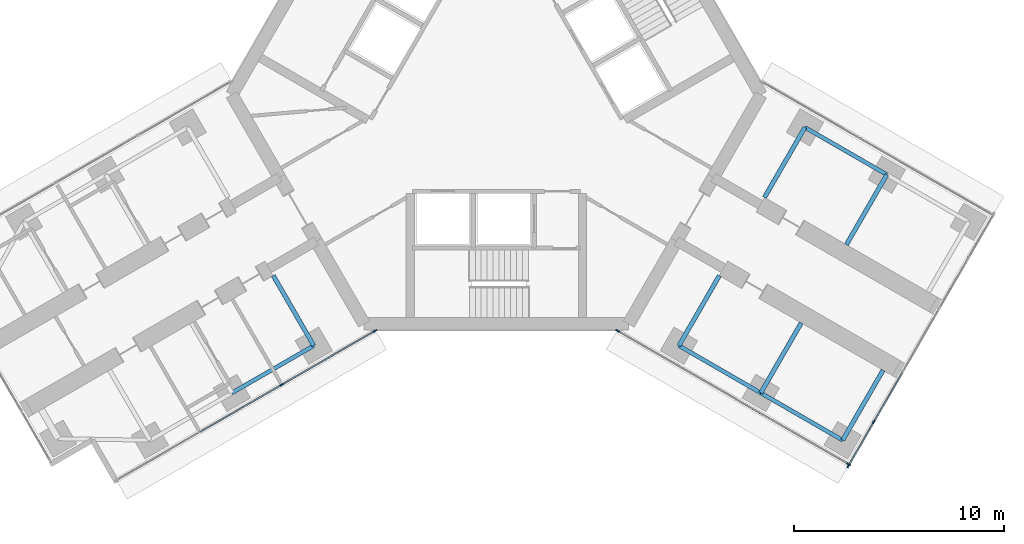
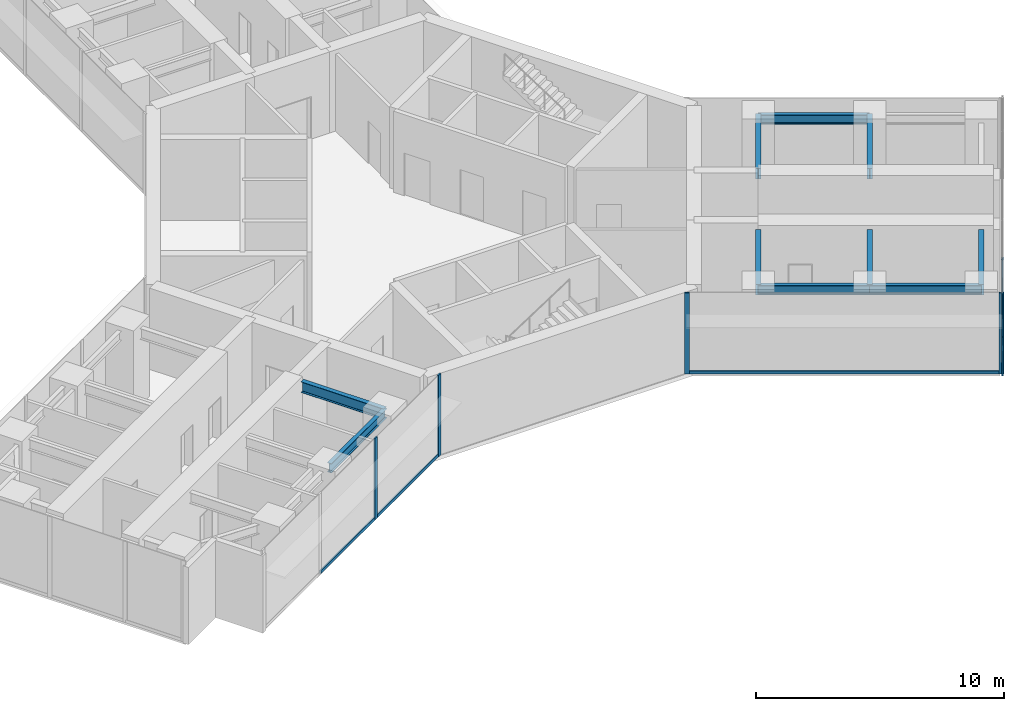
# One storey, part 8 of 22: 11 members, 10 beams, 3 elements without a shape of their own.
"""IFC4 building model written with IfcOpenShell, lengths in metres."""

from ifc_helpers import new_model, si_unit, direction, frame, origin, origin_2d, place, context, subcontext, project, spatial, rectangle, i_section, extrude, material, material_profile, profile_set, type_object, element, aggregate, save


model = new_model("IFC4")

# Units and contexts
model_context = context("Model", 3, precision=1e-05, world=origin(), true_north=direction((0.0, 1.0)))
body_context = subcontext(model_context, "Body", "Model", "MODEL_VIEW")
ifc_project = project(units=[si_unit("LENGTHUNIT", "METRE"), si_unit("AREAUNIT", "SQUARE_METRE"), si_unit("VOLUMEUNIT", "CUBIC_METRE"), si_unit("PLANEANGLEUNIT", "RADIAN"), si_unit("MASSUNIT", "GRAM", prefix="KILO")], contexts=[model_context])

# Site, building, storey
site_placement = place(None, origin())
site = spatial("IfcSite", under=ifc_project, at=site_placement, CompositionType="ELEMENT")
building_placement = place(site_placement, origin())
building = spatial("IfcBuilding", under=site, at=building_placement, Name="Upepo Twin Towers", CompositionType="ELEMENT")
storey_placement = place(building_placement, frame((0.0, 0.0, 137.5)))
storey = spatial("IfcBuildingStorey", under=building, at=storey_placement, Name="L33", CompositionType="ELEMENT", Elevation=137.5)

# Beams
ifc_material_1 = material(Name="Steel S355", Category="steel")
ifc_material_profile_1 = material_profile(ifc_material_1, i_section(OverallWidth=0.1904296875, OverallDepth=0.45703125, WebThickness=0.009033203125, FlangeThickness=0.014404296875, FilletRadius=0.01025390625, at=origin_2d()), Name="UB 457x191x74")
ifc_profile_set_1 = profile_set([ifc_material_profile_1], Name="Steel S355")
beam_type_1 = type_object("IfcBeamType", Name="Beam UB 457x191x74", PredefinedType="BEAM", material=ifc_profile_set_1)
for number, where, z_axis, x_axis, name in (
    (1, (49.80859375, -29.946044921875, 3.571533203125), (-0.866017533419, -0.500013631625, 0.0), (0.500013631625, -0.866017533419, 0.0), "T2 edge beam BL 13.5-18.0"),
    (2, (73.19140625, -19.553955078125, 3.571533203125), (0.866017533419, -0.500013631625, 0.0), (0.500013631625, 0.866017533419, 0.0), "T2 edge beam CL 13.5-18.0"),
    (3, (67.19140625, -29.946044921875, 3.571533203125), (0.866017533419, -0.500013631625, 0.0), (0.500013631625, 0.866017533419, 0.0), "T2 edge beam CR 13.5-18.0"),
):
    element("IfcBeam", number, at=place(storey_placement, frame(where, z_axis=z_axis, x_axis=x_axis)), inside=storey, type_object=beam_type_1, Name=name, PredefinedType="BEAM", context=body_context, shape_type="SweptSolid", body=[
        extrude(i_section(OverallWidth=0.1904296875, OverallDepth=0.45703125, WebThickness=0.009033203125, FlangeThickness=0.014404296875, FilletRadius=0.01025390625, at=origin_2d()), origin(), (0.0, 0.0, 1.0), 4.499755859375),
    ])
beam_1_placement = place(storey_placement, frame((71.08837890625, -32.196044921875, 3.571533203125), z_axis=(0.866031096941, -0.499990139034, 0.0), x_axis=(0.499990139034, 0.866031096941, 0.0)))
element("IfcBeam", 4, at=beam_1_placement, inside=storey, type_object=beam_type_1, Name="T2 edge beam CR 18.0-22.5", PredefinedType="BEAM", context=body_context, shape_type="SweptSolid", body=[
    extrude(i_section(OverallWidth=0.1904296875, OverallDepth=0.45703125, WebThickness=0.009033203125, FlangeThickness=0.014404296875, FilletRadius=0.01025390625, at=origin_2d()), origin(), (0.0, 0.0, 1.0), 4.5),
])
ifc_material_2 = material(Name="Steel S355", Category="steel")
ifc_material_profile_2 = material_profile(ifc_material_2, i_section(OverallWidth=0.209228515625, OverallDepth=0.533203125, WebThickness=0.010009765625, FlangeThickness=0.015625, FilletRadius=0.0126953125, at=origin_2d()), Name="UB 533x210x92")
ifc_profile_set_2 = profile_set([ifc_material_profile_2], Name="Steel S355")
beam_type_2 = type_object("IfcBeamType", Name="Beam UB 533x210x92", PredefinedType="BEAM", material=ifc_profile_set_2)
for number, where, z_axis, x_axis, name in (
    (5, (49.80859375, -29.946044921875, 3.533447265625), (-0.500033517596, 0.866006051527, 0.0), (-0.866006051527, -0.500033517596, 0.0), "T2 girder BL at 13.5"),
    (6, (73.19140625, -19.553955078125, 3.533447265625), (-0.500033517596, -0.866006051527, 0.0), (0.866006051527, -0.500033517596, 0.0), "T2 girder CL at 13.5"),
):
    element("IfcBeam", number, at=place(storey_placement, frame(where, z_axis=z_axis, x_axis=x_axis)), inside=storey, type_object=beam_type_2, Name=name, PredefinedType="BEAM", context=body_context, shape_type="SweptSolid", body=[
        extrude(i_section(OverallWidth=0.209228515625, OverallDepth=0.533203125, WebThickness=0.010009765625, FlangeThickness=0.015625, FilletRadius=0.0126953125, at=origin_2d()), origin(), (0.0, 0.0, 1.0), 3.849853515625),
    ])
beam_2_placement = place(storey_placement, frame((77.08837890625, -21.803955078125, 3.533447265625), z_axis=(-0.499985955615, -0.866033512162, 0.0), x_axis=(0.866033512162, -0.499985955615, 0.0)))
element("IfcBeam", 7, at=beam_2_placement, inside=storey, type_object=beam_type_2, Name="T2 girder CL at 18.0", PredefinedType="BEAM", context=body_context, shape_type="SweptSolid", body=[
    extrude(i_section(OverallWidth=0.209228515625, OverallDepth=0.533203125, WebThickness=0.010009765625, FlangeThickness=0.015625, FilletRadius=0.0126953125, at=origin_2d()), origin(), (0.0, 0.0, 1.0), 3.849609375),
])
for number, where, z_axis, x_axis, name in (
    (8, (67.19140625, -29.946044921875, 3.533447265625), (0.500033517596, 0.866006051527, 0.0), (-0.866006051527, 0.500033517596, 0.0), "T2 girder CR at 13.5"),
    (9, (71.08837890625, -32.196044921875, 3.533447265625), (0.500033517596, 0.866006051527, 0.0), (-0.866006051527, 0.500033517596, 0.0), "T2 girder CR at 18.0"),
    (10, (74.985595703125, -34.446044921875, 3.533447265625), (0.500033517596, 0.866006051527, 0.0), (-0.866006051527, 0.500033517596, 0.0), "T2 girder CR at 22.5"),
):
    element("IfcBeam", number, at=place(storey_placement, frame(where, z_axis=z_axis, x_axis=x_axis)), inside=storey, type_object=beam_type_2, Name=name, PredefinedType="BEAM", context=body_context, shape_type="SweptSolid", body=[
        extrude(i_section(OverallWidth=0.209228515625, OverallDepth=0.533203125, WebThickness=0.010009765625, FlangeThickness=0.015625, FilletRadius=0.0126953125, at=origin_2d()), origin(), (0.0, 0.0, 1.0), 3.849853515625),
    ])

# Curtain wall, members
ifc_material_3 = material(Name="Aluminium and fritted glass", Category="aluminium")
curtain_wall_type = type_object("IfcCurtainWallType", Name="Tower curtain wall TW2, fritted glass", PredefinedType="NOTDEFINED", material=ifc_material_3)
curtain_wall_1_placement = place(storey_placement, origin())
curtain_wall_1 = element("IfcCurtainWall", 11, at=curtain_wall_1_placement, inside=storey, type_object=curtain_wall_type, Name="T2 L33 wing B flank L curtain wall", PredefinedType="NOTDEFINED")
ifc_material_4 = material(Name="Aluminium mullion", Category="aluminium")
ifc_material_profile_3 = material_profile(ifc_material_4, rectangle(XDim=0.06494140625, YDim=0.199951171875, at=origin_2d()), Name="MULLION 65x200")
ifc_profile_set_3 = profile_set([ifc_material_profile_3], Name="Aluminium mullion")
member_type_1 = type_object("IfcMemberType", Name="Mullion 65x200 TW2", PredefinedType="MULLION", material=ifc_profile_set_3)
member_1_placement = place(storey_placement, frame((52.72802734375, -29.2421875, 0.0), z_axis=(0.0, 0.0, 1.0), x_axis=(0.500000010308, -0.866025397833, 0.0)))
member_1 = element("IfcMember", 12, at=member_1_placement, type_object=member_type_1, Name="T2 L33 wing B flank L curtain wall mullion 1", PredefinedType="MULLION", context=body_context, shape_type="SweptSolid", body=[
    extrude(rectangle(XDim=0.06494140625, YDim=0.199951171875, at=origin_2d()), origin(), (0.0, 0.0, 1.0), 4.0),
])
member_2_placement = place(storey_placement, frame((48.28515625, -31.807373046875, 0.0), z_axis=(0.0, 0.0, 1.0), x_axis=(0.500000010308, -0.866025397833, 0.0)))
member_2 = element("IfcMember", 13, at=member_2_placement, type_object=member_type_1, Name="T2 L33 wing B flank L curtain wall mullion 2", PredefinedType="MULLION", context=body_context, shape_type="SweptSolid", body=[
    extrude(rectangle(XDim=0.06494140625, YDim=0.199951171875, at=origin_2d()), origin(), (0.0, 0.0, 1.0), 4.0),
])

curtain_wall_2_placement = place(storey_placement, origin())
curtain_wall_2 = element("IfcCurtainWall", 14, at=curtain_wall_2_placement, inside=storey, type_object=curtain_wall_type, Name="T2 L33 wing C flank R curtain wall", PredefinedType="NOTDEFINED")
member_3_placement = place(storey_placement, frame((75.2685546875, -35.591064453125, 0.0), z_axis=(0.0, 0.0, 1.0), x_axis=(-0.50000000792, -0.866025399212, 0.0)))
member_3 = element("IfcMember", 15, at=member_3_placement, type_object=member_type_1, Name="T2 L33 wing C flank R curtain wall mullion 1", PredefinedType="MULLION", context=body_context, shape_type="SweptSolid", body=[
    extrude(rectangle(XDim=0.06494140625, YDim=0.199951171875, at=origin_2d()), origin(), (0.0, 0.0, 1.0), 4.0),
])
member_4_placement = place(storey_placement, frame((64.27197265625, -29.2421875, 0.0), z_axis=(0.0, 0.0, 1.0), x_axis=(-0.50000000792, -0.866025399212, 0.0)))
member_4 = element("IfcMember", 16, at=member_4_placement, type_object=member_type_1, Name="T2 L33 wing C flank R curtain wall mullion 2", PredefinedType="MULLION", context=body_context, shape_type="SweptSolid", body=[
    extrude(rectangle(XDim=0.06494140625, YDim=0.199951171875, at=origin_2d()), origin(), (0.0, 0.0, 1.0), 4.0),
])

curtain_wall_3_placement = place(storey_placement, origin())
curtain_wall_3 = element("IfcCurtainWall", 17, at=curtain_wall_3_placement, inside=storey, type_object=curtain_wall_type, Name="T2 L33 wing C nose curtain wall", PredefinedType="NOTDEFINED")
member_5_placement = place(storey_placement, frame((75.262939453125, -35.665771484375, 0.0), z_axis=(0.0, 0.0, 1.0), x_axis=(-0.866025419745, 0.499999972355, 0.0)))
member_5 = element("IfcMember", 18, at=member_5_placement, type_object=member_type_1, Name="T2 L33 wing C nose curtain wall mullion 1", PredefinedType="MULLION", context=body_context, shape_type="SweptSolid", body=[
    extrude(rectangle(XDim=0.06494140625, YDim=0.199951171875, at=origin_2d()), origin(), (0.0, 0.0, 1.0), 4.0),
])
member_6_placement = place(storey_placement, frame((76.4716796875, -33.572021484375, 0.0), z_axis=(0.0, 0.0, 1.0), x_axis=(-0.866025419745, 0.499999972355, 0.0)))
member_6 = element("IfcMember", 19, at=member_6_placement, type_object=member_type_1, Name="T2 L33 wing C nose curtain wall mullion 2", PredefinedType="MULLION", context=body_context, shape_type="SweptSolid", body=[
    extrude(rectangle(XDim=0.06494140625, YDim=0.199951171875, at=origin_2d()), origin(), (0.0, 0.0, 1.0), 4.0),
])

# Member
ifc_material_5 = material(Name="Aluminium transom", Category="aluminium")
ifc_material_profile_4 = material_profile(ifc_material_5, rectangle(XDim=0.06494140625, YDim=0.14990234375, at=origin_2d()), Name="TRANSOM 65x150")
ifc_profile_set_4 = profile_set([ifc_material_profile_4], Name="Aluminium transom")
member_type_2 = type_object("IfcMemberType", Name="Transom 65x150 TW2", PredefinedType="USERDEFINED", material=ifc_profile_set_4)
member_7_placement = place(storey_placement, frame((52.699951171875, -29.25830078125, 0.074951171875), z_axis=(-0.866021848223, -0.500006158363, 0.0), x_axis=(0.500006158363, -0.866021848223, 0.0)))
member_7 = element("IfcMember", 20, at=member_7_placement, type_object=member_type_2, Name="T2 L33 wing B flank L curtain wall transom 1", ObjectType="TRANSOM", PredefinedType="USERDEFINED", context=body_context, shape_type="SweptSolid", body=[
    extrude(rectangle(XDim=0.06494140625, YDim=0.14990234375, at=origin_2d()), origin(), (0.0, 0.0, 1.0), 5.0654296875),
])

member_8_placement = place(storey_placement, frame((48.2568359375, -31.823486328125, 0.074951171875), z_axis=(-0.866022410713, -0.500005184116, 0.0), x_axis=(0.500005184116, -0.866022410713, 0.0)))
member_8 = element("IfcMember", 21, at=member_8_placement, type_object=member_type_2, Name="T2 L33 wing B flank L curtain wall transom 2", ObjectType="TRANSOM", PredefinedType="USERDEFINED", context=body_context, shape_type="SweptSolid", body=[
    extrude(rectangle(XDim=0.06494140625, YDim=0.14990234375, at=origin_2d()), origin(), (0.0, 0.0, 1.0), 4.43505859375),
])

aggregate(curtain_wall_1, [member_1, member_2, member_7, member_8])

member_9_placement = place(storey_placement, frame((75.240478515625, -35.57470703125, 0.074951171875), z_axis=(-0.866027247007, 0.499996807431, 0.0), x_axis=(-0.499996807431, -0.866027247007, 0.0)))
member_9 = element("IfcMember", 22, at=member_9_placement, type_object=member_type_2, Name="T2 L33 wing C flank R curtain wall transom 1", ObjectType="TRANSOM", PredefinedType="USERDEFINED", context=body_context, shape_type="SweptSolid", body=[
    extrude(rectangle(XDim=0.06494140625, YDim=0.14990234375, at=origin_2d()), origin(), (0.0, 0.0, 1.0), 12.6328125),
])

aggregate(curtain_wall_2, [member_3, member_4, member_9])

member_10_placement = place(storey_placement, frame((75.279296875, -35.6376953125, 0.074951171875), z_axis=(0.499923095048, 0.866069800327, 0.0), x_axis=(-0.866069800327, 0.499923095048, 0.0)))
member_10 = element("IfcMember", 23, at=member_10_placement, type_object=member_type_2, Name="T2 L33 wing C nose curtain wall transom 1", ObjectType="TRANSOM", PredefinedType="USERDEFINED", context=body_context, shape_type="SweptSolid", body=[
    extrude(rectangle(XDim=0.06494140625, YDim=0.14990234375, at=origin_2d()), origin(), (0.0, 0.0, 1.0), 2.352294921875),
])

member_11_placement = place(storey_placement, frame((76.488037109375, -33.5439453125, 0.074951171875), z_axis=(0.49995335277, 0.8660523339, 0.0), x_axis=(-0.8660523339, 0.49995335277, 0.0)))
member_11 = element("IfcMember", 24, at=member_11_placement, type_object=member_type_2, Name="T2 L33 wing C nose curtain wall transom 2", ObjectType="TRANSOM", PredefinedType="USERDEFINED", context=body_context, shape_type="SweptSolid", body=[
    extrude(rectangle(XDim=0.06494140625, YDim=0.14990234375, at=origin_2d()), origin(), (0.0, 0.0, 1.0), 2.684814453125),
])

aggregate(curtain_wall_3, [member_5, member_6, member_10, member_11])

save(model, "model.ifc")
